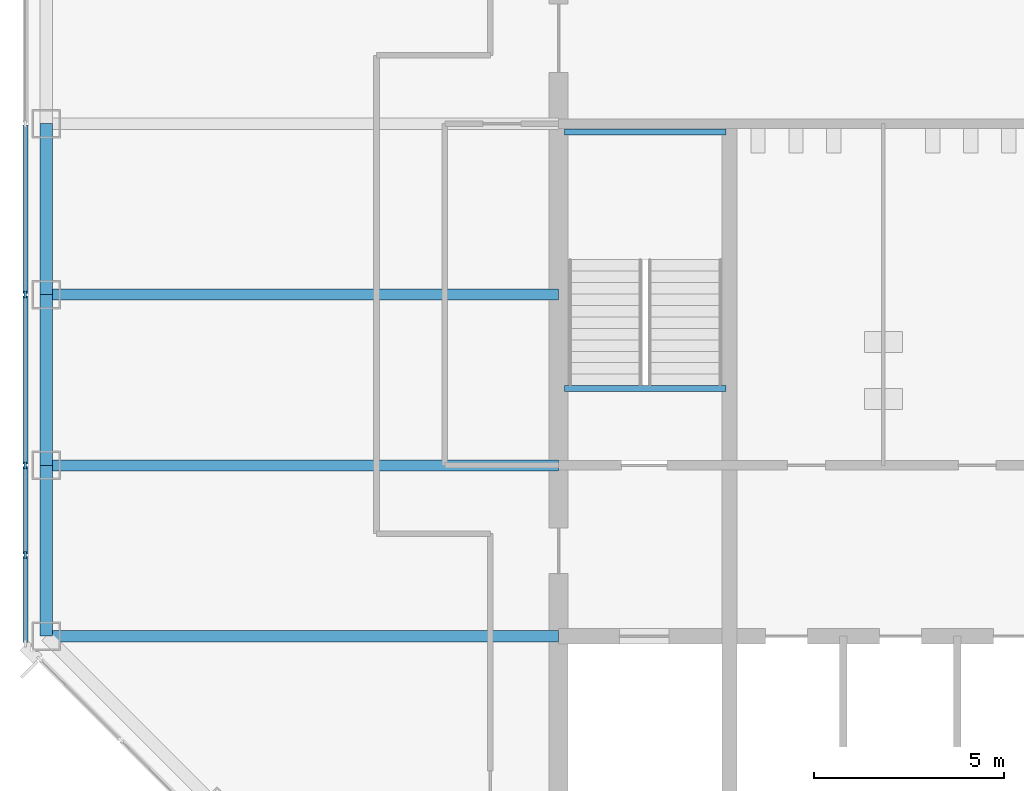
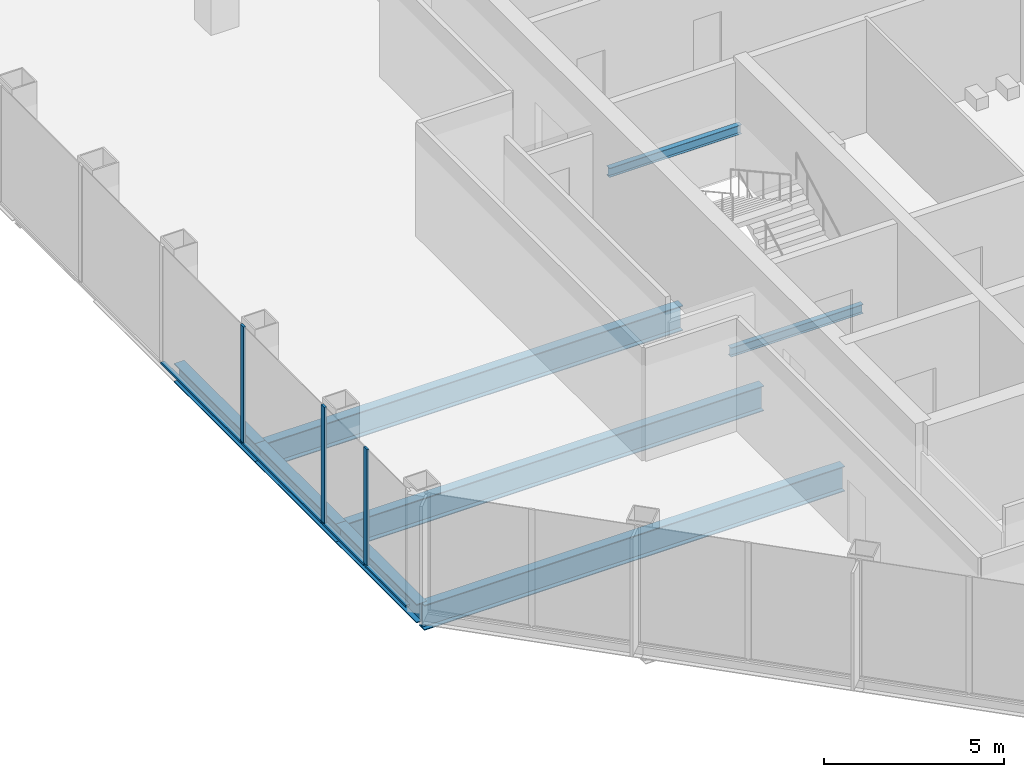
# One storey, part 3 of 12: 8 beams, 7 members, 1 element without a shape of its own.
"""IFC4 building model written with IfcOpenShell, lengths in metres."""

from ifc_helpers import new_model, si_unit, direction, frame, origin, origin_2d, place, context, subcontext, project, spatial, rectangle, i_section, extrude, material, material_profile, profile_set, type_object, element, aggregate, save


model = new_model("IFC4")

# Units and contexts
model_context = context("Model", 3, precision=1e-05, world=origin(), true_north=direction((0.0, 1.0)))
body_context = subcontext(model_context, "Body", "Model", "MODEL_VIEW")
ifc_project = project(units=[si_unit("LENGTHUNIT", "METRE"), si_unit("AREAUNIT", "SQUARE_METRE"), si_unit("VOLUMEUNIT", "CUBIC_METRE"), si_unit("PLANEANGLEUNIT", "RADIAN"), si_unit("MASSUNIT", "GRAM", prefix="KILO")], contexts=[model_context])

# Site, building, storey
site_placement = place(None, origin())
site = spatial("IfcSite", under=ifc_project, at=site_placement, CompositionType="ELEMENT")
building_placement = place(site_placement, origin())
building = spatial("IfcBuilding", under=site, at=building_placement, Name="Corais Broadcast Tower", CompositionType="ELEMENT")
storey_placement = place(building_placement, frame((0.0, 0.0, 139.60009765625)))
storey = spatial("IfcBuildingStorey", under=building, at=storey_placement, Name="L31", CompositionType="ELEMENT", Elevation=139.60009765625)

# Beams
ifc_material_1 = material(Name="Steel ASTM A572 Grade 50", Category="steel")
ifc_material_profile_1 = material_profile(ifc_material_1, i_section(OverallWidth=0.2939453125, OverallDepth=0.85107421875, WebThickness=0.01611328125, FlangeThickness=0.02685546875, at=origin_2d()), Name="W840x226")
ifc_profile_set_1 = profile_set([ifc_material_profile_1], Name="Steel ASTM A572 Grade 50")
beam_type_1 = type_object("IfcBeamType", Name="Floor beam W840x226", PredefinedType="BEAM", material=ifc_profile_set_1)
for number, where, z_axis, x_axis, name in (
    (1, (0.0, 18.0, -0.585693359375), (1.0, 0.0, 0.0), (0.0, 1.0, 0.0), "B1 E/3 to E/6"),
    (2, (0.0, 22.5, -0.585693359375), (1.0, 0.0, 0.0), (0.0, 1.0, 0.0), "B1 F/3 to F/6"),
    (3, (0.0, 27.0, -0.585693359375), (1.0, 0.0, 0.0), (0.0, 1.0, 0.0), "B1 G/3 to G/6"),
):
    element("IfcBeam", number, at=place(storey_placement, frame(where, z_axis=z_axis, x_axis=x_axis)), inside=storey, type_object=beam_type_1, Name=name, PredefinedType="BEAM", context=body_context, shape_type="SweptSolid", body=[
        extrude(i_section(OverallWidth=0.2939453125, OverallDepth=0.85107421875, WebThickness=0.01611328125, FlangeThickness=0.02685546875, at=origin_2d()), origin(), (0.0, 0.0, 1.0), 13.5),
    ])
ifc_material_2 = material(Name="Steel ASTM A572 Grade 50", Category="steel")
ifc_material_profile_2 = material_profile(ifc_material_2, i_section(OverallWidth=0.1650390625, OverallDepth=0.31005859375, WebThickness=0.005859375, FlangeThickness=0.009765625, at=origin_2d()), Name="W310x38.7")
ifc_profile_set_2 = profile_set([ifc_material_profile_2], Name="Steel ASTM A572 Grade 50")
beam_type_2 = type_object("IfcBeamType", Name="Landing trimmer W310x38.7", PredefinedType="BEAM", material=ifc_profile_set_2)
for number, where, z_axis, x_axis, name in (
    (4, (13.64990234375, 24.52490234375, -0.35498046875), (1.0, 0.0, 0.0), (0.0, 1.0, 0.0), "LT1 stair A landing trimmer L31"),
    (5, (13.64990234375, 31.284912109375, 1.64501953125), (1.0, 0.0, 0.0), (0.0, 1.0, 0.0), "LT1 stair A half landing trimmer L31"),
):
    element("IfcBeam", number, at=place(storey_placement, frame(where, z_axis=z_axis, x_axis=x_axis)), inside=storey, type_object=beam_type_2, Name=name, PredefinedType="BEAM", context=body_context, shape_type="SweptSolid", body=[
        extrude(i_section(OverallWidth=0.1650390625, OverallDepth=0.31005859375, WebThickness=0.005859375, FlangeThickness=0.009765625, at=origin_2d()), origin(), (0.0, 0.0, 1.0), 4.25),
    ])

# Curtain wall, members
ifc_material_3 = material(Name="Aluminium and glass", Category="aluminium")
curtain_wall_type = type_object("IfcCurtainWallType", Name="Unitised fritted curtain wall CW2", PredefinedType="NOTDEFINED", material=ifc_material_3)
curtain_wall_placement = place(storey_placement, origin())
curtain_wall = element("IfcCurtainWall", 6, at=curtain_wall_placement, inside=storey, type_object=curtain_wall_type, Name="CW2 curtain wall L31 2", PredefinedType="NOTDEFINED")
ifc_material_4 = material(Name="Aluminium 6063-T6", Category="aluminium")
ifc_material_profile_3 = material_profile(ifc_material_4, rectangle(XDim=0.06494140625, YDim=0.179931640625, at=origin_2d()), Name="Mullion CW2 65x180")
ifc_profile_set_3 = profile_set([ifc_material_profile_3], Name="Aluminium 6063-T6")
member_type_1 = type_object("IfcMemberType", Name="Mullion CW2 65x180", PredefinedType="MULLION", material=ifc_profile_set_3)
member_1_placement = place(storey_placement, frame((-0.550048828125, 20.135986328125, 0.0), z_axis=(0.0, 0.0, 1.0), x_axis=(-1.0, 0.0, 0.0)))
member_1 = element("IfcMember", 7, at=member_1_placement, type_object=member_type_1, Name="CW2 mullion 2", PredefinedType="MULLION", context=body_context, shape_type="SweptSolid", body=[
    extrude(rectangle(XDim=0.06494140625, YDim=0.179931640625, at=origin_2d()), origin(), (0.0, 0.0, 1.0), 4.0),
])
member_2_placement = place(storey_placement, frame((-0.550048828125, 22.5, 0.0), z_axis=(0.0, 0.0, 1.0), x_axis=(-1.0, 0.0, 0.0)))
member_2 = element("IfcMember", 8, at=member_2_placement, type_object=member_type_1, Name="CW2 mullion 3", PredefinedType="MULLION", context=body_context, shape_type="SweptSolid", body=[
    extrude(rectangle(XDim=0.06494140625, YDim=0.179931640625, at=origin_2d()), origin(), (0.0, 0.0, 1.0), 4.0),
])
member_3_placement = place(storey_placement, frame((-0.550048828125, 27.0, 0.0), z_axis=(0.0, 0.0, 1.0), x_axis=(-1.0, 0.0, 0.0)))
member_3 = element("IfcMember", 9, at=member_3_placement, type_object=member_type_1, Name="CW2 mullion 4", PredefinedType="MULLION", context=body_context, shape_type="SweptSolid", body=[
    extrude(rectangle(XDim=0.06494140625, YDim=0.179931640625, at=origin_2d()), origin(), (0.0, 0.0, 1.0), 4.0),
])

# Beams
ifc_material_5 = material(Name="Steel ASTM A572 Grade 50", Category="steel")
ifc_material_profile_4 = material_profile(ifc_material_5, i_section(OverallWidth=0.3291015625, OverallDepth=0.635009765625, WebThickness=0.017822265625, FlangeThickness=0.031005859375, at=origin_2d()), Name="W610x241")
ifc_profile_set_4 = profile_set([ifc_material_profile_4], Name="Steel ASTM A572 Grade 50")
beam_type_3 = type_object("IfcBeamType", Name="Spandrel W610x241", PredefinedType="BEAM", material=ifc_profile_set_4)
for number, where, z_axis, x_axis, name in (
    (10, (0.0, 22.5, -0.4775390625), (0.0, -1.0, 0.0), (1.0, 0.0, 0.0), "SB1 F/3 to E/3"),
    (11, (0.0, 27.0, -0.4775390625), (0.0, -1.0, 0.0), (1.0, 0.0, 0.0), "SB1 G/3 to F/3"),
    (12, (0.0, 31.5, -0.4775390625), (0.0, -1.0, 0.0), (1.0, 0.0, 0.0), "SB1 H/3 to G/3"),
):
    element("IfcBeam", number, at=place(storey_placement, frame(where, z_axis=z_axis, x_axis=x_axis)), inside=storey, type_object=beam_type_3, Name=name, PredefinedType="BEAM", context=body_context, shape_type="SweptSolid", body=[
        extrude(i_section(OverallWidth=0.3291015625, OverallDepth=0.635009765625, WebThickness=0.017822265625, FlangeThickness=0.031005859375, at=origin_2d()), origin(), (0.0, 0.0, 1.0), 4.5),
    ])

# Member
ifc_material_6 = material(Name="Aluminium 6063-T6", Category="aluminium")
ifc_material_profile_5 = material_profile(ifc_material_6, rectangle(XDim=0.1298828125, YDim=0.06494140625, at=origin_2d()), Name="Transom CW2 65x130")
ifc_profile_set_5 = profile_set([ifc_material_profile_5], Name="Aluminium 6063-T6")
member_type_2 = type_object("IfcMemberType", Name="Transom CW2 65x130", PredefinedType="USERDEFINED", material=ifc_profile_set_5)
member_4_placement = place(storey_placement, frame((-0.550048828125, 17.837158203125, 0.032470703125), z_axis=(0.0, 1.0, 0.0), x_axis=(-1.0, 0.0, 0.0)))
member_4 = element("IfcMember", 13, at=member_4_placement, type_object=member_type_2, Name="CW2 transom 1.1", ObjectType="TRANSOM", PredefinedType="USERDEFINED", context=body_context, shape_type="SweptSolid", body=[
    extrude(rectangle(XDim=0.1298828125, YDim=0.06494140625, at=origin_2d()), origin(), (0.0, 0.0, 1.0), 2.266357421875),
])

member_5_placement = place(storey_placement, frame((-0.550048828125, 20.168701171875, 0.032470703125), z_axis=(0.0, 1.0, 0.0), x_axis=(-1.0, 0.0, 0.0)))
member_5 = element("IfcMember", 14, at=member_5_placement, type_object=member_type_2, Name="CW2 transom 2.1", ObjectType="TRANSOM", PredefinedType="USERDEFINED", context=body_context, shape_type="SweptSolid", body=[
    extrude(rectangle(XDim=0.1298828125, YDim=0.06494140625, at=origin_2d()), origin(), (0.0, 0.0, 1.0), 2.298828125),
])

member_6_placement = place(storey_placement, frame((-0.550048828125, 22.532470703125, 0.032470703125), z_axis=(0.0, 1.0, 0.0), x_axis=(-1.0, 0.0, 0.0)))
member_6 = element("IfcMember", 15, at=member_6_placement, type_object=member_type_2, Name="CW2 transom 3.1", ObjectType="TRANSOM", PredefinedType="USERDEFINED", context=body_context, shape_type="SweptSolid", body=[
    extrude(rectangle(XDim=0.1298828125, YDim=0.06494140625, at=origin_2d()), origin(), (0.0, 0.0, 1.0), 4.43505859375),
])

member_7_placement = place(storey_placement, frame((-0.550048828125, 27.032470703125, 0.032470703125), z_axis=(0.0, 1.0, 0.0), x_axis=(-1.0, 0.0, 0.0)))
member_7 = element("IfcMember", 16, at=member_7_placement, type_object=member_type_2, Name="CW2 transom 4.1", ObjectType="TRANSOM", PredefinedType="USERDEFINED", context=body_context, shape_type="SweptSolid", body=[
    extrude(rectangle(XDim=0.1298828125, YDim=0.06494140625, at=origin_2d()), origin(), (0.0, 0.0, 1.0), 4.43505859375),
])

aggregate(curtain_wall, [member_1, member_2, member_3, member_4, member_5, member_6, member_7])

save(model, "model.ifc")
